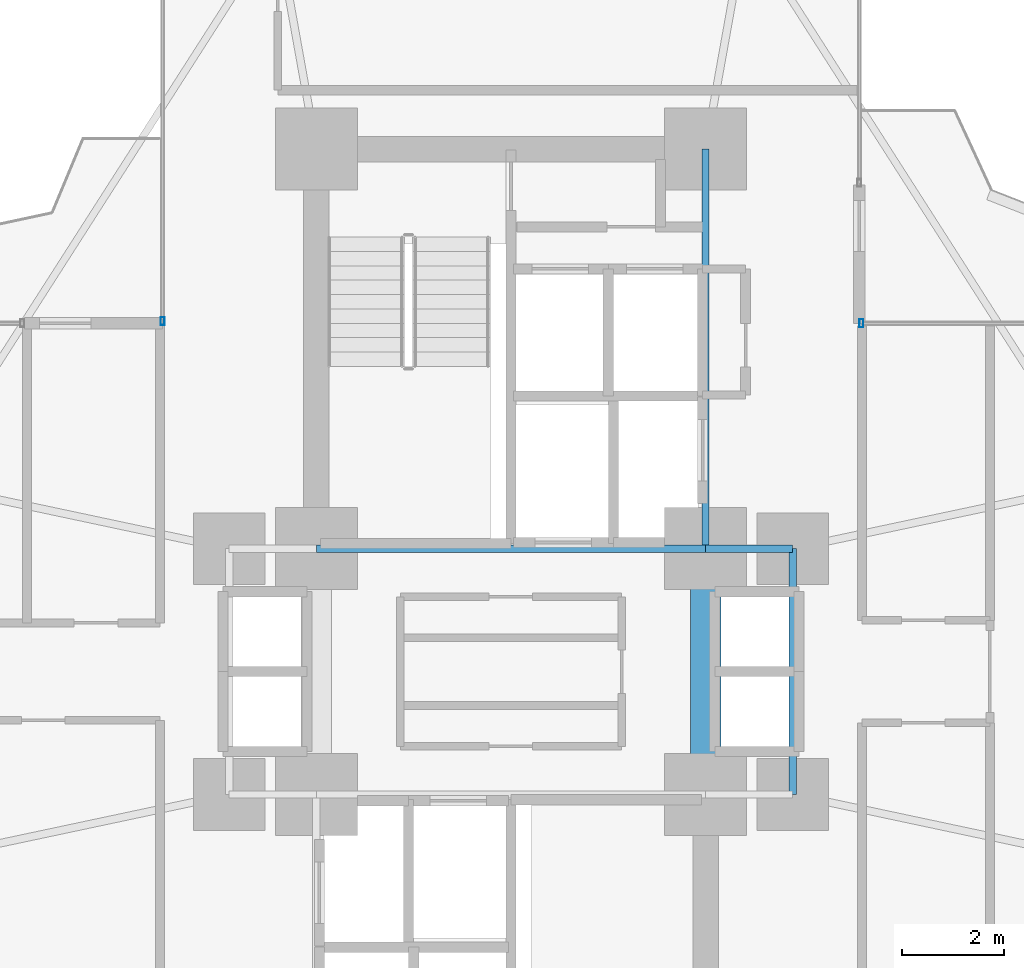
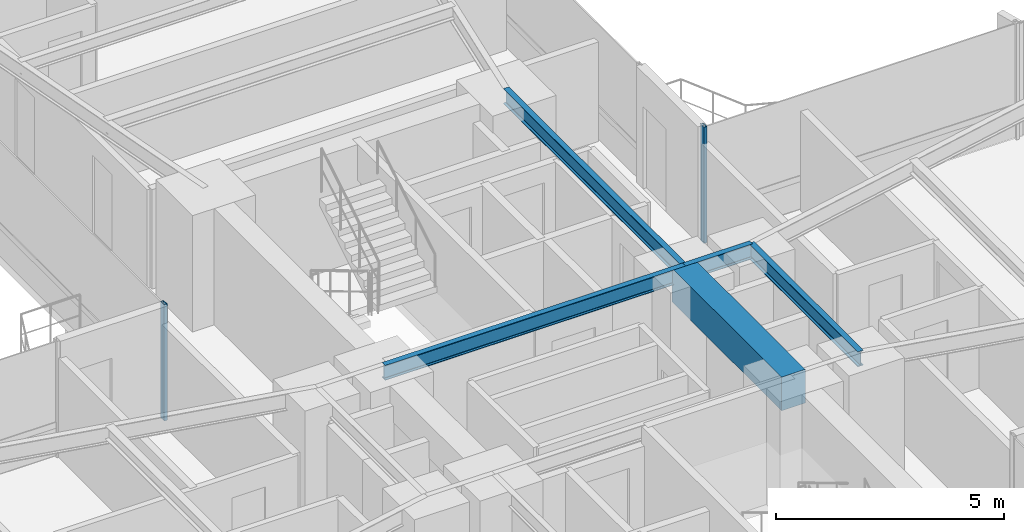
# One storey, part 12 of 25: 5 beams, 2 members, 2 elements without a shape of their own.
"""IFC4 building model written with IfcOpenShell, lengths in metres."""

from ifc_helpers import new_model, si_unit, direction, frame, origin, origin_2d, place, context, subcontext, project, spatial, rectangle, hollow_rectangle, i_section, extrude, source, transform, mapped, material, material_profile, profile_set, type_object, element, aggregate, save


model = new_model("IFC4")

# Units and contexts
model_context = context("Model", 3, precision=1e-05, world=origin(), true_north=direction((0.0, 1.0)))
body_context = subcontext(model_context, "Body", "Model", "MODEL_VIEW")
ifc_project = project(units=[si_unit("LENGTHUNIT", "METRE"), si_unit("AREAUNIT", "SQUARE_METRE"), si_unit("VOLUMEUNIT", "CUBIC_METRE"), si_unit("PLANEANGLEUNIT", "RADIAN"), si_unit("MASSUNIT", "GRAM", prefix="KILO")], contexts=[model_context])

# Site, building, storey
site_placement = place(None, origin())
site = spatial("IfcSite", under=ifc_project, at=site_placement, CompositionType="ELEMENT")
building_placement = place(site_placement, origin())
building = spatial("IfcBuilding", under=site, at=building_placement, Name="Sahyath Konkavel Grand Hotel", CompositionType="ELEMENT")
storey_placement = place(building_placement, frame((0.0, 0.0, 67.800048828125)))
storey = spatial("IfcBuildingStorey", under=building, at=storey_placement, Name="L18", CompositionType="ELEMENT", Elevation=67.800048828125)

# Beams
ifc_material_1 = material(Name="Concrete C70/85", Category="concrete")
ifc_material_profile_1 = material_profile(ifc_material_1, rectangle(XDim=0.60009765625, YDim=0.89990234375, at=origin_2d()), Name="RC 600x900")
ifc_profile_set_1 = profile_set([ifc_material_profile_1], Name="Concrete C70/85")
beam_type_1 = type_object("IfcBeamType", Name="BM-CB600x900", PredefinedType="LINTEL", material=ifc_profile_set_1)
shared_shape_1 = source(origin(), body_context, "Body", "SweptSolid", [
    extrude(rectangle(XDim=0.60009765625, YDim=0.89990234375, at=origin_2d()), origin(), (0.0, 0.0, 1.0), 4.7998046875),
])
beam_1_placement = place(storey_placement, frame((3.800048828125, -2.39990234375, 2.659912109375), z_axis=(0.0, 1.0, 0.0), x_axis=(-1.0, 0.0, 0.0)))
element("IfcBeam", 1, at=beam_1_placement, inside=storey, type_object=beam_type_1, Name="L18 Split-Core Coupling Beam East", PredefinedType="LINTEL", context=body_context, shape_type="MappedRepresentation", body=[
    mapped(shared_shape_1, transform((0.0, 0.0, 0.0), scale=1.0)),
])
ifc_material_2 = material(Name="Steel E350", Category="steel")
ifc_material_profile_2 = material_profile(ifc_material_2, i_section(OverallWidth=0.139892578125, OverallDepth=0.39990234375, WebThickness=0.0087890625, FlangeThickness=0.01611328125, FilletRadius=0.013916015625, at=origin_2d()), Name="ISMB 400")
ifc_profile_set_2 = profile_set([ifc_material_profile_2], Name="Steel E350")
beam_type_2 = type_object("IfcBeamType", Name="BM-ISMB400", PredefinedType="BEAM", material=ifc_profile_set_2)
shared_shape_2 = source(origin(), body_context, "Body", "SweptSolid", [
    extrude(i_section(OverallWidth=0.139892578125, OverallDepth=0.39990234375, WebThickness=0.0087890625, FlangeThickness=0.01611328125, FilletRadius=0.013916015625, at=origin_2d()), origin(), (0.0, 0.0, 1.0), 7.60009765625),
])
beam_2_placement = place(storey_placement, frame((-3.800048828125, 2.39990234375, 2.909912109375), z_axis=(1.0, 0.0, 0.0), x_axis=(0.0, 1.0, 0.0)))
element("IfcBeam", 2, at=beam_2_placement, inside=storey, type_object=beam_type_2, Name="str:bm:L18:NC-S", PredefinedType="BEAM", context=body_context, shape_type="MappedRepresentation", body=[
    mapped(shared_shape_2, transform((0.0, 0.0, 0.0), scale=1.0)),
])
shared_shape_3 = source(origin(), body_context, "Body", "SweptSolid", [
    extrude(i_section(OverallWidth=0.139892578125, OverallDepth=0.39990234375, WebThickness=0.0087890625, FlangeThickness=0.01611328125, FilletRadius=0.013916015625, at=origin_2d()), origin(), (0.0, 0.0, 1.0), 7.800048828125),
])
beam_3_placement = place(storey_placement, frame((3.800048828125, 2.39990234375, 2.909912109375), z_axis=(0.0, 1.0, 0.0), x_axis=(-1.0, 0.0, 0.0)))
element("IfcBeam", 3, at=beam_3_placement, inside=storey, type_object=beam_type_2, Name="str:bm:L18:NC-E", PredefinedType="BEAM", context=body_context, shape_type="MappedRepresentation", body=[
    mapped(shared_shape_3, transform((0.0, 0.0, 0.0), scale=1.0)),
])
shared_shape_4 = source(origin(), body_context, "Body", "SweptSolid", [
    extrude(i_section(OverallWidth=0.139892578125, OverallDepth=0.39990234375, WebThickness=0.0087890625, FlangeThickness=0.01611328125, FilletRadius=0.013916015625, at=origin_2d()), origin(), (0.0, 0.0, 1.0), 1.699951171875),
])
beam_4_placement = place(storey_placement, frame((3.800048828125, 2.39990234375, 2.909912109375), z_axis=(1.0, 0.0, 0.0), x_axis=(0.0, 1.0, 0.0)))
element("IfcBeam", 4, at=beam_4_placement, inside=storey, type_object=beam_type_2, Name="str:bm:L18:HB-NE", PredefinedType="BEAM", context=body_context, shape_type="MappedRepresentation", body=[
    mapped(shared_shape_4, transform((0.0, 0.0, 0.0), scale=1.0)),
])
shared_shape_5 = source(origin(), body_context, "Body", "SweptSolid", [
    extrude(i_section(OverallWidth=0.139892578125, OverallDepth=0.39990234375, WebThickness=0.0087890625, FlangeThickness=0.01611328125, FilletRadius=0.013916015625, at=origin_2d()), origin(), (0.0, 0.0, 1.0), 4.7998046875),
])
beam_5_placement = place(storey_placement, frame((5.5, -2.39990234375, 2.909912109375), z_axis=(0.0, 1.0, 0.0), x_axis=(-1.0, 0.0, 0.0)))
element("IfcBeam", 5, at=beam_5_placement, inside=storey, type_object=beam_type_2, Name="str:bm:L18:HB-E", PredefinedType="BEAM", context=body_context, shape_type="MappedRepresentation", body=[
    mapped(shared_shape_5, transform((0.0, 0.0, 0.0), scale=1.0)),
])

# Curtain wall, member
ifc_material_3 = material(Name="Anodised Bronze Aluminium & Low-E Glazing", Category="aluminium")
curtain_wall_type = type_object("IfcCurtainWallType", Name="CW-ZONE1", PredefinedType="NOTDEFINED", material=ifc_material_3)
curtain_wall_1_placement = place(storey_placement, origin())
curtain_wall_1 = element("IfcCurtainWall", 6, at=curtain_wall_1_placement, inside=storey, type_object=curtain_wall_type, Name="L18 Unitised Curtain Wall F7", PredefinedType="NOTDEFINED")
ifc_material_4 = material(Name="Anodised Bronze Aluminium", Category="aluminium")
ifc_material_profile_3 = material_profile(ifc_material_4, hollow_rectangle(XDim=0.080078125, YDim=0.159912109375, WallThickness=0.006103515625, at=origin_2d()), Name="RHS 160x80x6")
ifc_profile_set_3 = profile_set([ifc_material_profile_3], Name="Anodised Bronze Aluminium")
member_type = type_object("IfcMemberType", Name="CW-MUL-160", PredefinedType="MULLION", material=ifc_profile_set_3)
shared_shape_6 = source(origin(), body_context, "Body", "SweptSolid", [
    extrude(hollow_rectangle(XDim=0.080078125, YDim=0.159912109375, WallThickness=0.006103515625, at=origin_2d()), origin(), (0.0, 0.0, 1.0), 3.10986328125),
])
member_1_placement = place(storey_placement, frame((6.840087890625, 6.800048828125, 0.0), z_axis=(0.0, 0.0, 1.0), x_axis=(1.0, 0.0, 0.0)))
member_1 = element("IfcMember", 7, at=member_1_placement, type_object=member_type, Name="L18 Curtain Wall Mullion F7-2", PredefinedType="MULLION", context=body_context, shape_type="MappedRepresentation", body=[
    mapped(shared_shape_6, transform((0.0, 0.0, 0.0), scale=1.0)),
])
aggregate(curtain_wall_1, [member_1])

curtain_wall_2_placement = place(storey_placement, origin())
curtain_wall_2 = element("IfcCurtainWall", 8, at=curtain_wall_2_placement, inside=storey, type_object=curtain_wall_type, Name="L18 Unitised Curtain Wall F15", PredefinedType="NOTDEFINED")
member_2_placement = place(storey_placement, frame((-6.800048828125, 6.840087890625, 0.0), z_axis=(0.0, 0.0, 1.0), x_axis=(1.0, 0.0, 0.0)))
member_2 = element("IfcMember", 9, at=member_2_placement, type_object=member_type, Name="L18 Curtain Wall Mullion F15-2", PredefinedType="MULLION", context=body_context, shape_type="MappedRepresentation", body=[
    mapped(shared_shape_6, transform((0.0, 0.0, 0.0), scale=1.0)),
])
aggregate(curtain_wall_2, [member_2])

save(model, "model.ifc")
